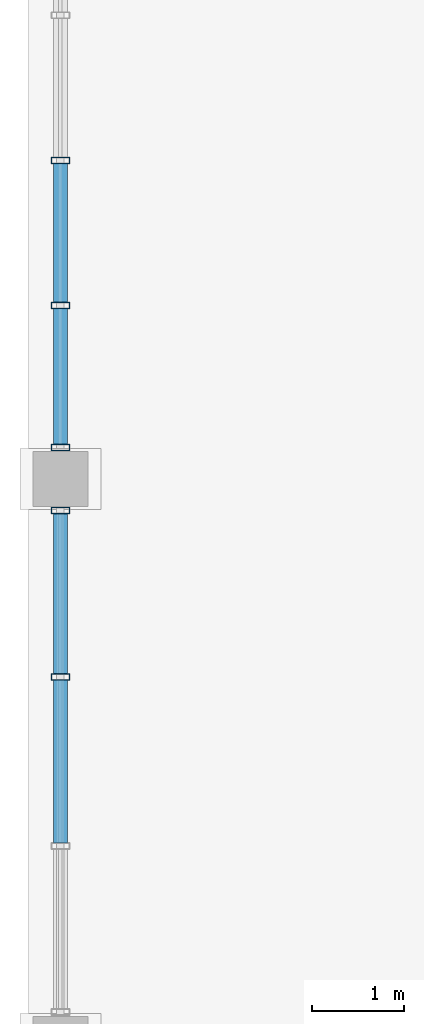
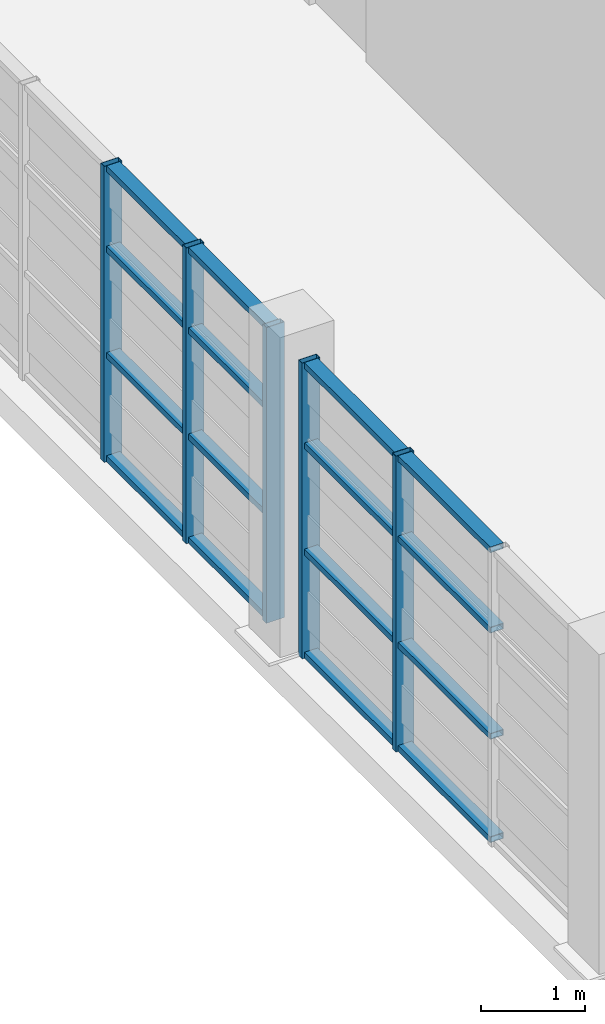
# One storey, part 4 of 24: 21 members, 2 elements without a shape of their own.
"""IFC4 building model written with IfcOpenShell, lengths in metres."""

from ifc_helpers import new_model, si_unit, direction, frame, origin, origin_2d, place, context, subcontext, project, spatial, hollow_rectangle, extrude, source, transform, mapped, material, layer, layer_set, material_profile, profile_set, type_object, element, aggregate, save


model = new_model("IFC4")

# Units and contexts
model_context = context("Model", 3, precision=1e-05, world=origin(), true_north=direction((0.0, 1.0)))
body_context = subcontext(model_context, "Body", "Model", "MODEL_VIEW")
ifc_project = project(units=[si_unit("LENGTHUNIT", "METRE"), si_unit("AREAUNIT", "SQUARE_METRE"), si_unit("VOLUMEUNIT", "CUBIC_METRE"), si_unit("PLANEANGLEUNIT", "RADIAN"), si_unit("MASSUNIT", "GRAM", prefix="KILO")], contexts=[model_context])

# Site, building, storey
site_placement = place(None, origin())
site = spatial("IfcSite", under=ifc_project, at=site_placement, CompositionType="ELEMENT")
building_placement = place(site_placement, origin())
building = spatial("IfcBuilding", under=site, at=building_placement, Name="Saelheon Loggia Tower", CompositionType="ELEMENT")
storey_placement = place(building_placement, frame((0.0, 0.0, 252.199951171875)))
storey = spatial("IfcBuildingStorey", under=building, at=storey_placement, Name="CR1", CompositionType="ELEMENT", Elevation=252.199951171875)

# Curtain wall, members
ifc_material_1 = material(Name="Bronze-Anodised Aluminium and Fritted Ceramic Screen", Category="aluminium")
ifc_layer = layer(ifc_material_1, 0.219970703125)
ifc_layer_set = layer_set([ifc_layer], Name="Bronze-Anodised Aluminium and Fritted Ceramic Screen")
curtain_wall_type = type_object("IfcCurtainWallType", Name="CW_CrownScreen", PredefinedType="NOTDEFINED", material=ifc_layer_set)
curtain_wall_1_placement = place(storey_placement, origin())
curtain_wall_1 = element("IfcCurtainWall", 1, at=curtain_wall_1_placement, inside=storey, type_object=curtain_wall_type, Name="CR1 Crown Screen Curtain Wall 9-2", PredefinedType="NOTDEFINED")
ifc_material_2 = material(Name="Bronze-Anodised Aluminium 6063-T6", Category="aluminium")
ifc_material_profile_1 = material_profile(ifc_material_2, hollow_rectangle(XDim=0.070068359375, YDim=0.199951171875, WallThickness=0.0048828125, at=origin_2d()), Name="RHS-200x70x5")
ifc_profile_set_1 = profile_set([ifc_material_profile_1], Name="Bronze-Anodised Aluminium 6063-T6")
member_type_1 = type_object("IfcMemberType", Name="CW_CrownScreen_Mullion", PredefinedType="MULLION", material=ifc_profile_set_1)
shared_shape_1 = source(origin(), body_context, "Body", "SweptSolid", [
    extrude(hollow_rectangle(XDim=0.070068359375, YDim=0.199951171875, WallThickness=0.0048828125, at=origin_2d()), origin(), (0.0, 0.0, 1.0), 3.47998046875),
])
member_1_placement = place(storey_placement, frame((23.35009765625, 21.469970703125, 0.0), z_axis=(0.0, 0.0, 1.0), x_axis=(0.0, -1.0, 0.0)))
member_1 = element("IfcMember", 2, at=member_1_placement, type_object=member_type_1, Name="CW6 mullion 10", PredefinedType="MULLION", context=body_context, shape_type="MappedRepresentation", body=[
    mapped(shared_shape_1, transform((0.0, 0.0, 0.0), scale=1.0)),
])
member_2_placement = place(storey_placement, frame((23.35009765625, 19.889892578125, 0.0), z_axis=(0.0, 0.0, 1.0), x_axis=(0.0, -1.0, 0.0)))
member_2 = element("IfcMember", 3, at=member_2_placement, type_object=member_type_1, Name="CW6 mullion 11", PredefinedType="MULLION", context=body_context, shape_type="MappedRepresentation", body=[
    mapped(shared_shape_1, transform((0.0, 0.0, 0.0), scale=1.0)),
])
member_3_placement = place(storey_placement, frame((23.35009765625, 18.344970703125, 0.0), z_axis=(0.0, 0.0, 1.0), x_axis=(0.0, -1.0, 0.0)))
member_3 = element("IfcMember", 4, at=member_3_placement, type_object=member_type_1, Name="CW6 mullion 12", PredefinedType="MULLION", context=body_context, shape_type="MappedRepresentation", body=[
    mapped(shared_shape_1, transform((0.0, 0.0, 0.0), scale=1.0)),
])

curtain_wall_2_placement = place(storey_placement, origin())
curtain_wall_2 = element("IfcCurtainWall", 5, at=curtain_wall_2_placement, inside=storey, type_object=curtain_wall_type, Name="CR1 Crown Screen Curtain Wall 9-3", PredefinedType="NOTDEFINED")
member_4_placement = place(storey_placement, frame((23.35009765625, 17.655029296875, 0.0), z_axis=(0.0, 0.0, 1.0), x_axis=(0.0, -1.0, 0.0)))
member_4 = element("IfcMember", 6, at=member_4_placement, type_object=member_type_1, Name="CW6 mullion 1", PredefinedType="MULLION", context=body_context, shape_type="MappedRepresentation", body=[
    mapped(shared_shape_1, transform((0.0, 0.0, 0.0), scale=1.0)),
])
member_5_placement = place(storey_placement, frame((23.35009765625, 15.8466796875, 0.0), z_axis=(0.0, 0.0, 1.0), x_axis=(0.0, -1.0, 0.0)))
member_5 = element("IfcMember", 7, at=member_5_placement, type_object=member_type_1, Name="CW6 mullion 2", PredefinedType="MULLION", context=body_context, shape_type="MappedRepresentation", body=[
    mapped(shared_shape_1, transform((0.0, 0.0, 0.0), scale=1.0)),
])
ifc_material_profile_2 = material_profile(ifc_material_2, hollow_rectangle(XDim=0.070068359375, YDim=0.14990234375, WallThickness=0.0048828125, at=origin_2d()), Name="RHS-150x70x5")
ifc_profile_set_2 = profile_set([ifc_material_profile_2], Name="Bronze-Anodised Aluminium 6063-T6")
member_type_2 = type_object("IfcMemberType", Name="CW_CrownScreen_Transom", PredefinedType="USERDEFINED", material=ifc_profile_set_2)
shared_shape_2 = source(origin(), body_context, "Body", "SweptSolid", [
    extrude(hollow_rectangle(XDim=0.070068359375, YDim=0.14990234375, WallThickness=0.0048828125, at=origin_2d()), origin(), (0.0, 0.0, 1.0), 1.7734375),
])
member_6_placement = place(storey_placement, frame((23.35009765625, 15.811767578125, 0.03515625), z_axis=(0.0, -1.0, 0.0), x_axis=(0.0, 0.0, 1.0)))
member_6 = element("IfcMember", 8, at=member_6_placement, type_object=member_type_2, Name="CW6 transom 2.1", ObjectType="TRANSOM", PredefinedType="USERDEFINED", context=body_context, shape_type="MappedRepresentation", body=[
    mapped(shared_shape_2, transform((0.0, 0.0, 0.0), scale=1.0)),
])
member_7_placement = place(storey_placement, frame((23.35009765625, 15.811767578125, 1.25), z_axis=(0.0, -1.0, 0.0), x_axis=(0.0, 0.0, 1.0)))
member_7 = element("IfcMember", 9, at=member_7_placement, type_object=member_type_2, Name="CW6 transom 2.2", ObjectType="TRANSOM", PredefinedType="USERDEFINED", context=body_context, shape_type="MappedRepresentation", body=[
    mapped(shared_shape_2, transform((0.0, 0.0, 0.0), scale=1.0)),
])
member_8_placement = place(storey_placement, frame((23.35009765625, 15.811767578125, 2.5), z_axis=(0.0, -1.0, 0.0), x_axis=(0.0, 0.0, 1.0)))
member_8 = element("IfcMember", 10, at=member_8_placement, type_object=member_type_2, Name="CW6 transom 2.3", ObjectType="TRANSOM", PredefinedType="USERDEFINED", context=body_context, shape_type="MappedRepresentation", body=[
    mapped(shared_shape_2, transform((0.0, 0.0, 0.0), scale=1.0)),
])
member_9_placement = place(storey_placement, frame((23.35009765625, 15.811767578125, 3.445068359375), z_axis=(0.0, -1.0, 0.0), x_axis=(0.0, 0.0, 1.0)))
member_9 = element("IfcMember", 11, at=member_9_placement, type_object=member_type_2, Name="CW6 transom 2.4", ObjectType="TRANSOM", PredefinedType="USERDEFINED", context=body_context, shape_type="MappedRepresentation", body=[
    mapped(shared_shape_2, transform((0.0, 0.0, 0.0), scale=1.0)),
])
shared_shape_3 = source(origin(), body_context, "Body", "SweptSolid", [
    extrude(hollow_rectangle(XDim=0.070068359375, YDim=0.14990234375, WallThickness=0.0048828125, at=origin_2d()), origin(), (0.0, 0.0, 1.0), 1.738525390625),
])
member_10_placement = place(storey_placement, frame((23.35009765625, 17.6201171875, 0.03515625), z_axis=(0.0, -1.0, 0.0), x_axis=(0.0, 0.0, 1.0)))
member_10 = element("IfcMember", 12, at=member_10_placement, type_object=member_type_2, Name="CW6 transom 1.1", ObjectType="TRANSOM", PredefinedType="USERDEFINED", context=body_context, shape_type="MappedRepresentation", body=[
    mapped(shared_shape_3, transform((0.0, 0.0, 0.0), scale=1.0)),
])
member_11_placement = place(storey_placement, frame((23.35009765625, 17.6201171875, 1.25), z_axis=(0.0, -1.0, 0.0), x_axis=(0.0, 0.0, 1.0)))
member_11 = element("IfcMember", 13, at=member_11_placement, type_object=member_type_2, Name="CW6 transom 1.2", ObjectType="TRANSOM", PredefinedType="USERDEFINED", context=body_context, shape_type="MappedRepresentation", body=[
    mapped(shared_shape_3, transform((0.0, 0.0, 0.0), scale=1.0)),
])
member_12_placement = place(storey_placement, frame((23.35009765625, 17.6201171875, 2.5), z_axis=(0.0, -1.0, 0.0), x_axis=(0.0, 0.0, 1.0)))
member_12 = element("IfcMember", 14, at=member_12_placement, type_object=member_type_2, Name="CW6 transom 1.3", ObjectType="TRANSOM", PredefinedType="USERDEFINED", context=body_context, shape_type="MappedRepresentation", body=[
    mapped(shared_shape_3, transform((0.0, 0.0, 0.0), scale=1.0)),
])
member_13_placement = place(storey_placement, frame((23.35009765625, 17.6201171875, 3.445068359375), z_axis=(0.0, -1.0, 0.0), x_axis=(0.0, 0.0, 1.0)))
member_13 = element("IfcMember", 15, at=member_13_placement, type_object=member_type_2, Name="CW6 transom 1.4", ObjectType="TRANSOM", PredefinedType="USERDEFINED", context=body_context, shape_type="MappedRepresentation", body=[
    mapped(shared_shape_3, transform((0.0, 0.0, 0.0), scale=1.0)),
])
aggregate(curtain_wall_2, [member_4, member_5, member_10, member_11, member_12, member_13, member_6, member_7, member_8, member_9])

# Member
shared_shape_4 = source(origin(), body_context, "Body", "SweptSolid", [
    extrude(hollow_rectangle(XDim=0.070068359375, YDim=0.14990234375, WallThickness=0.0048828125, at=origin_2d()), origin(), (0.0, 0.0, 1.0), 1.47509765625),
])
member_14_placement = place(storey_placement, frame((23.35009765625, 19.85498046875, 0.03515625), z_axis=(0.0, -1.0, 0.0), x_axis=(0.0, 0.0, 1.0)))
member_14 = element("IfcMember", 16, at=member_14_placement, type_object=member_type_2, Name="CW6 transom 11.1", ObjectType="TRANSOM", PredefinedType="USERDEFINED", context=body_context, shape_type="MappedRepresentation", body=[
    mapped(shared_shape_4, transform((0.0, 0.0, 0.0), scale=1.0)),
])

member_15_placement = place(storey_placement, frame((23.35009765625, 19.85498046875, 1.25), z_axis=(0.0, -1.0, 0.0), x_axis=(0.0, 0.0, 1.0)))
member_15 = element("IfcMember", 17, at=member_15_placement, type_object=member_type_2, Name="CW6 transom 11.2", ObjectType="TRANSOM", PredefinedType="USERDEFINED", context=body_context, shape_type="MappedRepresentation", body=[
    mapped(shared_shape_4, transform((0.0, 0.0, 0.0), scale=1.0)),
])

member_16_placement = place(storey_placement, frame((23.35009765625, 19.85498046875, 2.5), z_axis=(0.0, -1.0, 0.0), x_axis=(0.0, 0.0, 1.0)))
member_16 = element("IfcMember", 18, at=member_16_placement, type_object=member_type_2, Name="CW6 transom 11.3", ObjectType="TRANSOM", PredefinedType="USERDEFINED", context=body_context, shape_type="MappedRepresentation", body=[
    mapped(shared_shape_4, transform((0.0, 0.0, 0.0), scale=1.0)),
])

member_17_placement = place(storey_placement, frame((23.35009765625, 19.85498046875, 3.445068359375), z_axis=(0.0, -1.0, 0.0), x_axis=(0.0, 0.0, 1.0)))
member_17 = element("IfcMember", 19, at=member_17_placement, type_object=member_type_2, Name="CW6 transom 11.4", ObjectType="TRANSOM", PredefinedType="USERDEFINED", context=body_context, shape_type="MappedRepresentation", body=[
    mapped(shared_shape_4, transform((0.0, 0.0, 0.0), scale=1.0)),
])

shared_shape_5 = source(origin(), body_context, "Body", "SweptSolid", [
    extrude(hollow_rectangle(XDim=0.070068359375, YDim=0.14990234375, WallThickness=0.0048828125, at=origin_2d()), origin(), (0.0, 0.0, 1.0), 1.510009765625),
])
member_18_placement = place(storey_placement, frame((23.35009765625, 21.43505859375, 0.03515625), z_axis=(0.0, -1.0, 0.0), x_axis=(0.0, 0.0, 1.0)))
member_18 = element("IfcMember", 20, at=member_18_placement, type_object=member_type_2, Name="CW6 transom 10.1", ObjectType="TRANSOM", PredefinedType="USERDEFINED", context=body_context, shape_type="MappedRepresentation", body=[
    mapped(shared_shape_5, transform((0.0, 0.0, 0.0), scale=1.0)),
])

member_19_placement = place(storey_placement, frame((23.35009765625, 21.43505859375, 1.25), z_axis=(0.0, -1.0, 0.0), x_axis=(0.0, 0.0, 1.0)))
member_19 = element("IfcMember", 21, at=member_19_placement, type_object=member_type_2, Name="CW6 transom 10.2", ObjectType="TRANSOM", PredefinedType="USERDEFINED", context=body_context, shape_type="MappedRepresentation", body=[
    mapped(shared_shape_5, transform((0.0, 0.0, 0.0), scale=1.0)),
])

member_20_placement = place(storey_placement, frame((23.35009765625, 21.43505859375, 2.5), z_axis=(0.0, -1.0, 0.0), x_axis=(0.0, 0.0, 1.0)))
member_20 = element("IfcMember", 22, at=member_20_placement, type_object=member_type_2, Name="CW6 transom 10.3", ObjectType="TRANSOM", PredefinedType="USERDEFINED", context=body_context, shape_type="MappedRepresentation", body=[
    mapped(shared_shape_5, transform((0.0, 0.0, 0.0), scale=1.0)),
])

member_21_placement = place(storey_placement, frame((23.35009765625, 21.43505859375, 3.445068359375), z_axis=(0.0, -1.0, 0.0), x_axis=(0.0, 0.0, 1.0)))
member_21 = element("IfcMember", 23, at=member_21_placement, type_object=member_type_2, Name="CW6 transom 10.4", ObjectType="TRANSOM", PredefinedType="USERDEFINED", context=body_context, shape_type="MappedRepresentation", body=[
    mapped(shared_shape_5, transform((0.0, 0.0, 0.0), scale=1.0)),
])

aggregate(curtain_wall_1, [member_1, member_2, member_3, member_18, member_19, member_20, member_21, member_14, member_15, member_16, member_17])

save(model, "model.ifc")
